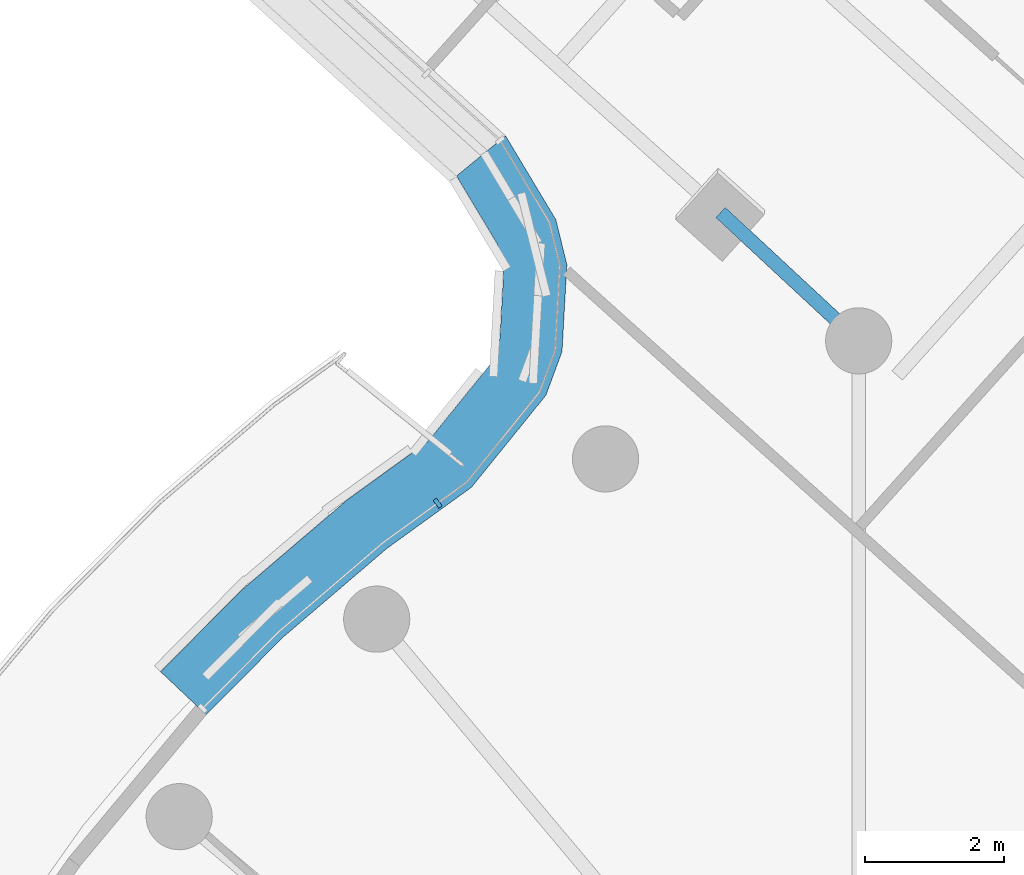
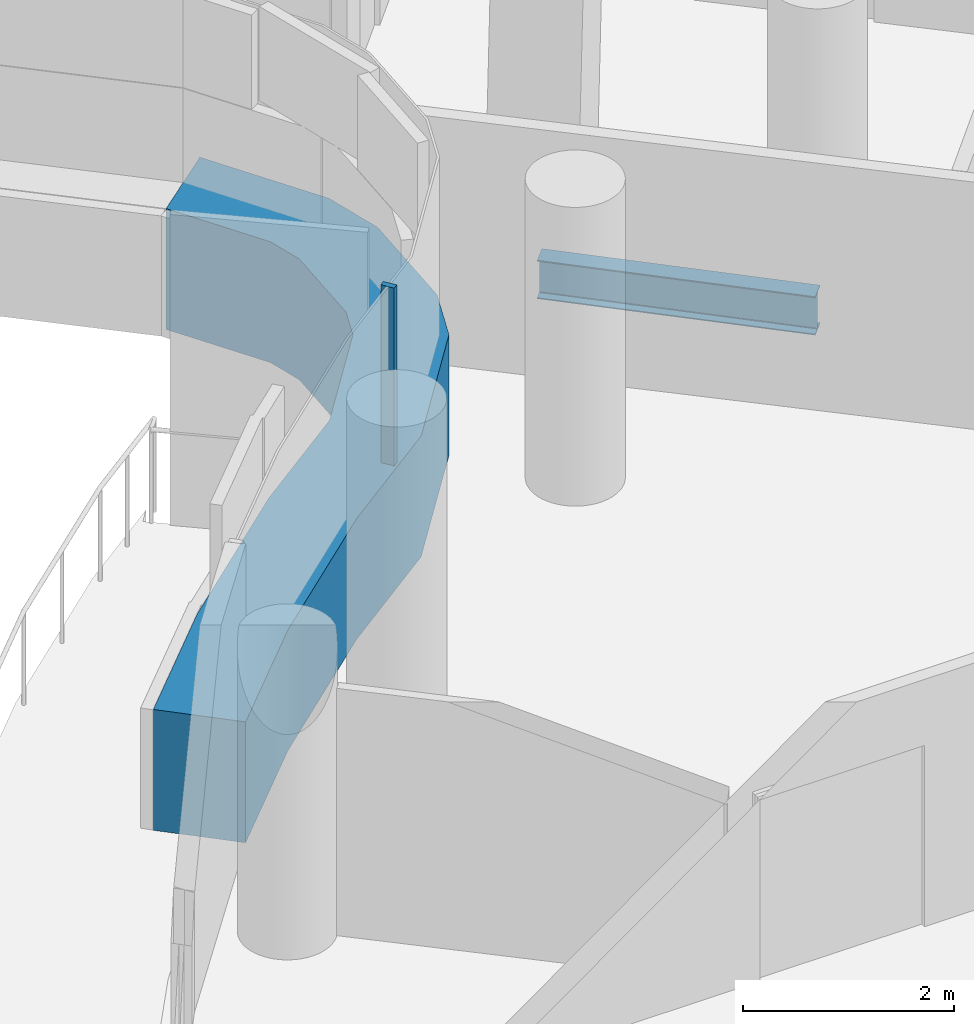
# One storey, part 10 of 31: 2 members, 1 beam, 1 element without a shape of its own.
"""IFC4 building model written with IfcOpenShell, lengths in metres."""

from ifc_helpers import new_model, si_unit, direction, frame, origin, origin_2d, place, context, subcontext, project, spatial, polyline, rectangle, i_section, outline, extrude, material, layer, layer_set, material_profile, profile_set, type_object, element, aggregate, save


model = new_model("IFC4")

# Units and contexts
model_context = context("Model", 3, precision=1e-05, world=origin(), true_north=direction((0.0, 1.0)))
body_context = subcontext(model_context, "Body", "Model", "MODEL_VIEW")
ifc_project = project(units=[si_unit("LENGTHUNIT", "METRE"), si_unit("AREAUNIT", "SQUARE_METRE"), si_unit("VOLUMEUNIT", "CUBIC_METRE"), si_unit("PLANEANGLEUNIT", "RADIAN"), si_unit("MASSUNIT", "GRAM", prefix="KILO")], contexts=[model_context])

# Site, building, storey
site_placement = place(None, origin())
site = spatial("IfcSite", under=ifc_project, at=site_placement, CompositionType="ELEMENT")
building_placement = place(site_placement, origin())
building = spatial("IfcBuilding", under=site, at=building_placement, Name="Tamarind Cross Interchange Tower", CompositionType="ELEMENT")
storey_placement = place(building_placement, frame((0.0, 0.0, 207.699951171875)))
storey = spatial("IfcBuildingStorey", under=building, at=storey_placement, Name="L52", CompositionType="ELEMENT", Elevation=207.699951171875)

# Beam
ifc_material_1 = material(Name="Steel Q355B", Category="steel")
ifc_material_profile_1 = material_profile(ifc_material_1, i_section(OverallWidth=0.198974609375, OverallDepth=0.446044921875, WebThickness=0.008056640625, FlangeThickness=0.011962890625, FilletRadius=0.012939453125, at=origin_2d()), Name="HN 446x199x8x12")
ifc_profile_set_1 = profile_set([ifc_material_profile_1], Name="Steel Q355B")
beam_type = type_object("IfcBeamType", Name="Composite beam HN 446x199x8x12 Q355B", PredefinedType="BEAM", material=ifc_profile_set_1)
beam_placement = place(storey_placement, frame((-9.849853515625, 23.4560546875, -0.363037109375), z_axis=(0.732555788625, -0.680706997579, 0.0), x_axis=(0.680706997579, 0.732555788625, 0.0)))
element("IfcBeam", 1, at=beam_placement, inside=storey, type_object=beam_type, Name="Beam N-linkep", PredefinedType="BEAM", context=body_context, shape_type="SweptSolid", body=[
    extrude(i_section(OverallWidth=0.198974609375, OverallDepth=0.446044921875, WebThickness=0.008056640625, FlangeThickness=0.011962890625, FilletRadius=0.012939453125, at=origin_2d()), origin(), (0.0, 0.0, 1.0), 2.70751953125),
])

# Curtain wall, members
ifc_material_2 = material(Name="Aluminium 6063-T6", Category="aluminium")
ifc_layer = layer(ifc_material_2, 0.139892578125)
ifc_layer_set = layer_set([ifc_layer], Name="Aluminium 6063-T6")
curtain_wall_type = type_object("IfcCurtainWallType", Name="Hotel curtain wall, 4.5 m bays", PredefinedType="NOTDEFINED", material=ifc_layer_set)
curtain_wall_placement = place(storey_placement, origin())
curtain_wall = element("IfcCurtainWall", 2, at=curtain_wall_placement, inside=storey, type_object=curtain_wall_type, Name="CWS-L52-10", PredefinedType="NOTDEFINED")
ifc_material_3 = material(Name="Aluminium and insulated spandrel panel", Category="aluminium")
member_type_1 = type_object("IfcMemberType", Name="Floor-edge blade transom", PredefinedType="USERDEFINED", material=ifc_material_3)
member_1_placement = place(storey_placement, origin())
member_1 = element("IfcMember", 3, at=member_1_placement, type_object=member_type_1, Name="CWT-L52-10-0", ObjectType="TRANSOM", PredefinedType="USERDEFINED", context=body_context, shape_type="SweptSolid", body=[
    extrude(outline(polyline([(-12.93603515625, 24.556396484375), (-12.214111328125, 23.353759765625), (-12.0546875, 22.70849609375), (-12.124755859375, 21.458251953125), (-12.356689453125, 20.830810546875), (-13.422607421875, 19.512451171875), (-14.63427734375, 18.636474609375), (-16.12353515625, 17.3642578125), (-17.231201171875, 16.2470703125), (-17.88623046875, 16.864501953125), (-16.736572265625, 18.0244140625), (-15.191162109375, 19.344482421875), (-14.047119140625, 20.171630859375), (-13.149658203125, 21.28173828125), (-13.015869140625, 21.6435546875), (-12.9609375, 22.623779296875), (-13.055419921875, 23.006591796875), (-13.63916015625, 23.979248046875), (-12.93603515625, 24.556396484375)])), origin(), (0.0, 0.0, 1.0), 1.400146484375),
])
ifc_material_profile_2 = material_profile(ifc_material_2, rectangle(XDim=0.06005859375, YDim=0.139892578125, at=origin_2d()), Name="Mullion CW2")
ifc_profile_set_2 = profile_set([ifc_material_profile_2], Name="Aluminium 6063-T6")
member_type_2 = type_object("IfcMemberType", Name="Mullion CW2", PredefinedType="MULLION", material=ifc_profile_set_2)
member_2_placement = place(storey_placement, frame((-13.909912109375, 19.28369140625, 1.400146484375), z_axis=(0.0, 0.0, 1.0), x_axis=(-0.810455063884, -0.585800810365, 0.0)))
member_2 = element("IfcMember", 4, at=member_2_placement, type_object=member_type_2, Name="CWM-L52-10-01", PredefinedType="MULLION", context=body_context, shape_type="SweptSolid", body=[
    extrude(rectangle(XDim=0.06005859375, YDim=0.139892578125, at=origin_2d()), origin(), (0.0, 0.0, 1.0), 2.059814453125),
])
aggregate(curtain_wall, [member_2, member_1])

save(model, "model.ifc")
